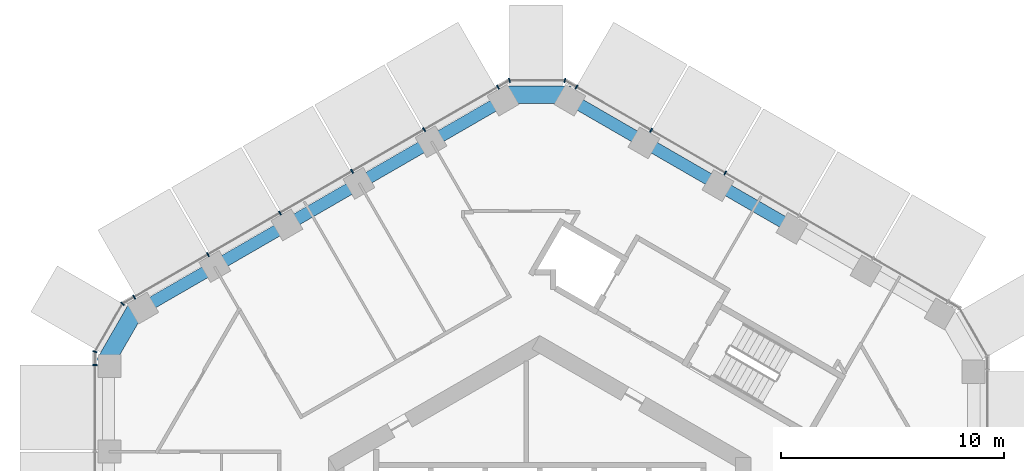
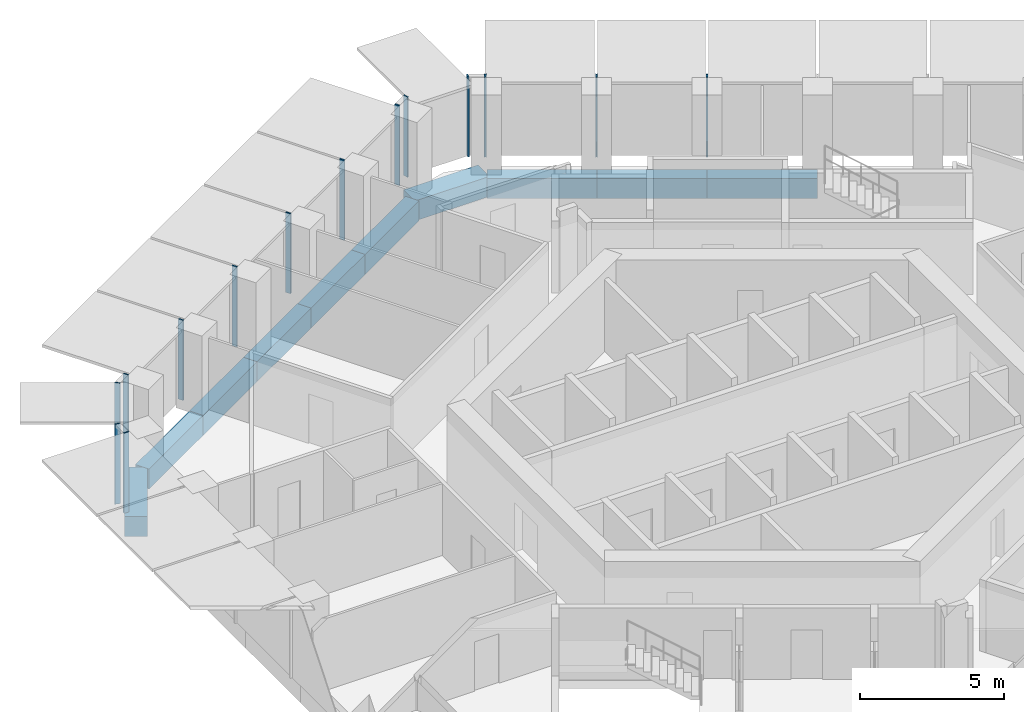
# One storey, part 5 of 18: 14 members, 10 beams, 5 elements without a shape of their own.
"""IFC4 building model written with IfcOpenShell, lengths in metres."""

from ifc_helpers import new_model, si_unit, direction, frame, origin, origin_2d, place, context, subcontext, project, spatial, rectangle, extrude, material, layer, layer_set, material_profile, profile_set, type_object, element, aggregate, save


model = new_model("IFC4")

# Units and contexts
model_context = context("Model", 3, precision=1e-05, world=origin(), true_north=direction((0.0, 1.0)))
body_context = subcontext(model_context, "Body", "Model", "MODEL_VIEW")
ifc_project = project(units=[si_unit("LENGTHUNIT", "METRE"), si_unit("AREAUNIT", "SQUARE_METRE"), si_unit("VOLUMEUNIT", "CUBIC_METRE"), si_unit("PLANEANGLEUNIT", "RADIAN"), si_unit("MASSUNIT", "GRAM", prefix="KILO")], contexts=[model_context])

# Site, building, storey
site_placement = place(None, origin())
site = spatial("IfcSite", under=ifc_project, at=site_placement, CompositionType="ELEMENT")
building_placement = place(site_placement, origin())
building = spatial("IfcBuilding", under=site, at=building_placement, Name="Ayvan Gate Tower", CompositionType="ELEMENT")
storey_placement = place(building_placement, frame((0.0, 0.0, 89.89990234375)))
storey = spatial("IfcBuildingStorey", under=building, at=storey_placement, Name="L23", CompositionType="ELEMENT", Elevation=89.89990234375)

# Beams
ifc_material_1 = material(Name="Concrete C40/50", Category="concrete")
ifc_material_profile_1 = material_profile(ifc_material_1, rectangle(XDim=0.800048828125, YDim=0.85009765625, at=origin_2d()), Name="RC 800x850")
ifc_profile_set_1 = profile_set([ifc_material_profile_1], Name="Concrete C40/50")
beam_type_1 = type_object("IfcBeamType", Name="Corner spandrel beam RC 800x850 C40/50", PredefinedType="BEAM", material=ifc_profile_set_1)
for number, where, z_axis, x_axis, name in (
    (1, (1.394775390625, 21.793212890625, -0.77490234375), (-1.0, 0.0, 0.0), (0.0, -1.0, 0.0), "SB-L23-12"),
    (2, (-18.071044921875, 12.286865234375, -0.77490234375), (-0.499990139034, -0.866031096941, 0.0), (0.866031096941, -0.499990139034, 0.0), "SB-L23-18"),
):
    element("IfcBeam", number, at=place(storey_placement, frame(where, z_axis=z_axis, x_axis=x_axis)), inside=storey, type_object=beam_type_1, Name=name, PredefinedType="BEAM", context=body_context, shape_type="SweptSolid", body=[
        extrude(rectangle(XDim=0.800048828125, YDim=0.85009765625, at=origin_2d()), origin(), (0.0, 0.0, 1.0), 3.0),
    ])
ifc_material_profile_2 = material_profile(ifc_material_1, rectangle(XDim=0.550048828125, YDim=0.85009765625, at=origin_2d()), Name="RC 550x850")
ifc_profile_set_2 = profile_set([ifc_material_profile_2], Name="Concrete C40/50")
beam_type_2 = type_object("IfcBeamType", Name="Spandrel beam RC 550x850 C40/50", PredefinedType="BEAM", material=ifc_profile_set_2)
beam_1_placement = place(storey_placement, frame((11.349365234375, 15.826171875, -0.77490234375), z_axis=(-0.866046580459, 0.499963319129, 0.0), x_axis=(-0.499963319129, -0.866046580459, 0.0)))
element("IfcBeam", 3, at=beam_1_placement, inside=storey, type_object=beam_type_2, Name="SB-L23-9", PredefinedType="BEAM", context=body_context, shape_type="SweptSolid", body=[
    extrude(rectangle(XDim=0.550048828125, YDim=0.85009765625, at=origin_2d()), origin(), (0.0, 0.0, 1.0), 3.831298828125),
])
beam_2_placement = place(storey_placement, frame((8.03125, 17.74169921875, -0.77490234375), z_axis=(-0.866034918304, 0.499983520007, 0.0), x_axis=(-0.499983520007, -0.866034918304, 0.0)))
element("IfcBeam", 4, at=beam_2_placement, inside=storey, type_object=beam_type_2, Name="SB-L23-10", PredefinedType="BEAM", context=body_context, shape_type="SweptSolid", body=[
    extrude(rectangle(XDim=0.550048828125, YDim=0.85009765625, at=origin_2d()), origin(), (0.0, 0.0, 1.0), 3.831787109375),
])
beam_3_placement = place(storey_placement, frame((4.712890625, 19.657470703125, -0.77490234375), z_axis=(-0.866018988906, 0.500011110731, 0.0), x_axis=(-0.500011110731, -0.866018988906, 0.0)))
element("IfcBeam", 5, at=beam_3_placement, inside=storey, type_object=beam_type_2, Name="SB-L23-11", PredefinedType="BEAM", context=body_context, shape_type="SweptSolid", body=[
    extrude(rectangle(XDim=0.550048828125, YDim=0.85009765625, at=origin_2d()), origin(), (0.0, 0.0, 1.0), 3.83154296875),
])
for number, where, z_axis, x_axis, name in (
    (6, (-1.605224609375, 21.5732421875, -0.77490234375), (-0.866003851672, -0.500037327496, 0.0), (0.500037327496, -0.866003851672, 0.0), "SB-L23-13"),
    (7, (-4.860107421875, 19.69384765625, -0.77490234375), (-0.866048217342, -0.499960483678, 0.0), (0.499960483678, -0.866048217342, 0.0), "SB-L23-14"),
):
    element("IfcBeam", number, at=place(storey_placement, frame(where, z_axis=z_axis, x_axis=x_axis)), inside=storey, type_object=beam_type_2, Name=name, PredefinedType="BEAM", context=body_context, shape_type="SweptSolid", body=[
        extrude(rectangle(XDim=0.550048828125, YDim=0.85009765625, at=origin_2d()), origin(), (0.0, 0.0, 1.0), 3.758544921875),
    ])
beam_4_placement = place(storey_placement, frame((-8.115234375, 17.814697265625, -0.77490234375), z_axis=(-0.866020091923, -0.500009200302, 0.0), x_axis=(0.500009200302, -0.866020091923, 0.0)))
element("IfcBeam", 8, at=beam_4_placement, inside=storey, type_object=beam_type_2, Name="SB-L23-15", PredefinedType="BEAM", context=body_context, shape_type="SweptSolid", body=[
    extrude(rectangle(XDim=0.550048828125, YDim=0.85009765625, at=origin_2d()), origin(), (0.0, 0.0, 1.0), 3.7587890625),
])
beam_5_placement = place(storey_placement, frame((-11.370361328125, 15.935302734375, -0.77490234375), z_axis=(-0.866031979728, -0.499988609959, 0.0), x_axis=(0.499988609959, -0.866031979728, 0.0)))
element("IfcBeam", 9, at=beam_5_placement, inside=storey, type_object=beam_type_2, Name="SB-L23-16", PredefinedType="BEAM", context=body_context, shape_type="SweptSolid", body=[
    extrude(rectangle(XDim=0.550048828125, YDim=0.85009765625, at=origin_2d()), origin(), (0.0, 0.0, 1.0), 3.75830078125),
])
beam_6_placement = place(storey_placement, frame((-14.625244140625, 14.05615234375, -0.77490234375), z_axis=(-0.866020091923, -0.500009200302, 0.0), x_axis=(0.500009200302, -0.866020091923, 0.0)))
element("IfcBeam", 10, at=beam_6_placement, inside=storey, type_object=beam_type_2, Name="SB-L23-17", PredefinedType="BEAM", context=body_context, shape_type="SweptSolid", body=[
    extrude(rectangle(XDim=0.550048828125, YDim=0.85009765625, at=origin_2d()), origin(), (0.0, 0.0, 1.0), 3.7587890625),
])

# Curtain wall, members
ifc_material_2 = material(Name="Bronze anodised aluminium", Category="aluminium")
ifc_layer_1 = layer(ifc_material_2, 0.199951171875)
ifc_layer_set_1 = layer_set([ifc_layer_1], Name="Bronze anodised aluminium")
curtain_wall_type_1 = type_object("IfcCurtainWallType", Name="Stick curtain wall CW-1", PredefinedType="NOTDEFINED", material=ifc_layer_set_1)
curtain_wall_1_placement = place(storey_placement, origin())
curtain_wall_1 = element("IfcCurtainWall", 11, at=curtain_wall_1_placement, inside=storey, type_object=curtain_wall_type_1, Name="Stick curtain wall CW-1 L23", PredefinedType="NOTDEFINED")
ifc_material_profile_3 = material_profile(ifc_material_2, rectangle(XDim=0.199951171875, YDim=0.06005859375, at=origin_2d()), Name="Stick curtain wall CW-1 mullion 200 x 60")
ifc_profile_set_3 = profile_set([ifc_material_profile_3], Name="Bronze anodised aluminium")
member_type_1 = type_object("IfcMemberType", Name="Stick curtain wall CW-1 mullion 200 x 60", PredefinedType="MULLION", material=ifc_profile_set_3)
member_1_placement = place(storey_placement, frame((-1.885986328125, 22.1328125, 0.0), z_axis=(0.0, 0.0, 1.0), x_axis=(-0.5, 0.866025403784, 0.0)))
member_1 = element("IfcMember", 12, at=member_1_placement, type_object=member_type_1, Name="CW-1 mullion 1", PredefinedType="MULLION", context=body_context, shape_type="SweptSolid", body=[
    extrude(rectangle(XDim=0.199951171875, YDim=0.06005859375, at=origin_2d()), origin(), (0.0, 0.0, 1.0), 3.400146484375),
])
member_2_placement = place(storey_placement, frame((-5.198486328125, 20.220458984375, 0.0), z_axis=(0.0, 0.0, 1.0), x_axis=(-0.5, 0.866025403784, 0.0)))
member_2 = element("IfcMember", 13, at=member_2_placement, type_object=member_type_1, Name="CW-1 mullion 2", PredefinedType="MULLION", context=body_context, shape_type="SweptSolid", body=[
    extrude(rectangle(XDim=0.199951171875, YDim=0.06005859375, at=origin_2d()), origin(), (0.0, 0.0, 1.0), 3.400146484375),
])
member_3_placement = place(storey_placement, frame((-8.4365234375, 18.350830078125, 0.0), z_axis=(0.0, 0.0, 1.0), x_axis=(-0.5, 0.866025403784, 0.0)))
member_3 = element("IfcMember", 14, at=member_3_placement, type_object=member_type_1, Name="CW-1 mullion 3", PredefinedType="MULLION", context=body_context, shape_type="SweptSolid", body=[
    extrude(rectangle(XDim=0.199951171875, YDim=0.06005859375, at=origin_2d()), origin(), (0.0, 0.0, 1.0), 3.400146484375),
])
member_4_placement = place(storey_placement, frame((-11.674560546875, 16.4814453125, 0.0), z_axis=(0.0, 0.0, 1.0), x_axis=(-0.5, 0.866025403784, 0.0)))
member_4 = element("IfcMember", 15, at=member_4_placement, type_object=member_type_1, Name="CW-1 mullion 4", PredefinedType="MULLION", context=body_context, shape_type="SweptSolid", body=[
    extrude(rectangle(XDim=0.199951171875, YDim=0.06005859375, at=origin_2d()), origin(), (0.0, 0.0, 1.0), 3.400146484375),
])
member_5_placement = place(storey_placement, frame((-14.911865234375, 14.6123046875, 0.0), z_axis=(0.0, 0.0, 1.0), x_axis=(-0.5, 0.866025403784, 0.0)))
member_5 = element("IfcMember", 16, at=member_5_placement, type_object=member_type_1, Name="CW-1 mullion 5", PredefinedType="MULLION", context=body_context, shape_type="SweptSolid", body=[
    extrude(rectangle(XDim=0.199951171875, YDim=0.06005859375, at=origin_2d()), origin(), (0.0, 0.0, 1.0), 3.400146484375),
])
member_6_placement = place(storey_placement, frame((-18.224609375, 12.69970703125, 0.0), z_axis=(0.0, 0.0, 1.0), x_axis=(-0.5, 0.866025403784, 0.0)))
member_6 = element("IfcMember", 17, at=member_6_placement, type_object=member_type_1, Name="CW-1 mullion 6", PredefinedType="MULLION", context=body_context, shape_type="SweptSolid", body=[
    extrude(rectangle(XDim=0.199951171875, YDim=0.06005859375, at=origin_2d()), origin(), (0.0, 0.0, 1.0), 3.400146484375),
])
aggregate(curtain_wall_1, [member_1, member_2, member_3, member_4, member_5, member_6])

# Curtain wall, member
curtain_wall_2_placement = place(storey_placement, origin())
curtain_wall_2 = element("IfcCurtainWall", 18, at=curtain_wall_2_placement, inside=storey, type_object=curtain_wall_type_1, Name="Stick curtain wall CW-1 L23", PredefinedType="NOTDEFINED")
member_7_placement = place(storey_placement, frame((-19.991943359375, 9.638671875, 0.0), z_axis=(0.0, 0.0, 1.0), x_axis=(-1.0, 0.0, 0.0)))
member_7 = element("IfcMember", 19, at=member_7_placement, type_object=member_type_1, Name="CW-1 mullion 1", PredefinedType="MULLION", context=body_context, shape_type="SweptSolid", body=[
    extrude(rectangle(XDim=0.199951171875, YDim=0.06005859375, at=origin_2d()), origin(), (0.0, 0.0, 1.0), 3.400146484375),
])
aggregate(curtain_wall_2, [member_7])

# Curtain wall, members
curtain_wall_3_placement = place(storey_placement, origin())
curtain_wall_3 = element("IfcCurtainWall", 20, at=curtain_wall_3_placement, inside=storey, type_object=curtain_wall_type_1, Name="Stick curtain wall CW-1 L23", PredefinedType="NOTDEFINED")
member_8_placement = place(storey_placement, frame((8.3330078125, 18.273681640625, 0.0), z_axis=(0.0, 0.0, 1.0), x_axis=(0.5, 0.866025403784, 0.0)))
member_8 = element("IfcMember", 21, at=member_8_placement, type_object=member_type_1, Name="CW-1 mullion 4", PredefinedType="MULLION", context=body_context, shape_type="SweptSolid", body=[
    extrude(rectangle(XDim=0.199951171875, YDim=0.06005859375, at=origin_2d()), origin(), (0.0, 0.0, 1.0), 3.400146484375),
])
member_9_placement = place(storey_placement, frame((5.005615234375, 20.194580078125, 0.0), z_axis=(0.0, 0.0, 1.0), x_axis=(0.5, 0.866025403784, 0.0)))
member_9 = element("IfcMember", 22, at=member_9_placement, type_object=member_type_1, Name="CW-1 mullion 5", PredefinedType="MULLION", context=body_context, shape_type="SweptSolid", body=[
    extrude(rectangle(XDim=0.199951171875, YDim=0.06005859375, at=origin_2d()), origin(), (0.0, 0.0, 1.0), 3.400146484375),
])
member_10_placement = place(storey_placement, frame((1.6484375, 22.1328125, 0.0), z_axis=(0.0, 0.0, 1.0), x_axis=(0.5, 0.866025403784, 0.0)))
member_10 = element("IfcMember", 23, at=member_10_placement, type_object=member_type_1, Name="CW-1 mullion 6", PredefinedType="MULLION", context=body_context, shape_type="SweptSolid", body=[
    extrude(rectangle(XDim=0.199951171875, YDim=0.06005859375, at=origin_2d()), origin(), (0.0, 0.0, 1.0), 3.400146484375),
])
aggregate(curtain_wall_3, [member_8, member_9, member_10])

ifc_layer_2 = layer(ifc_material_2, 0.199951171875)
ifc_layer_set_2 = layer_set([ifc_layer_2], Name="Bronze anodised aluminium")
curtain_wall_type_2 = type_object("IfcCurtainWallType", Name="Stick curtain wall CW-6", PredefinedType="NOTDEFINED", material=ifc_layer_set_2)
curtain_wall_4_placement = place(storey_placement, origin())
curtain_wall_4 = element("IfcCurtainWall", 24, at=curtain_wall_4_placement, inside=storey, type_object=curtain_wall_type_2, Name="Stick curtain wall CW-6 L23", PredefinedType="NOTDEFINED")
ifc_material_profile_4 = material_profile(ifc_material_2, rectangle(XDim=0.199951171875, YDim=0.050048828125, at=origin_2d()), Name="Stick curtain wall CW-6 mullion 200 x 50")
ifc_profile_set_4 = profile_set([ifc_material_profile_4], Name="Bronze anodised aluminium")
member_type_2 = type_object("IfcMemberType", Name="Stick curtain wall CW-6 mullion 200 x 50", PredefinedType="MULLION", material=ifc_profile_set_4)
member_11_placement = place(storey_placement, frame((-18.74853515625, 12.397216796875, 0.0), z_axis=(0.0, 0.0, 1.0), x_axis=(-0.707106781187, 0.707106781187, 0.0)))
member_11 = element("IfcMember", 25, at=member_11_placement, type_object=member_type_2, Name="CW-6 mullion 2", PredefinedType="MULLION", context=body_context, shape_type="SweptSolid", body=[
    extrude(rectangle(XDim=0.199951171875, YDim=0.050048828125, at=origin_2d()), origin(), (0.0, 0.0, 1.0), 3.400146484375),
])
member_12_placement = place(storey_placement, frame((-19.991943359375, 10.24365234375, 0.0), z_axis=(0.0, 0.0, 1.0), x_axis=(-0.965925826289, 0.258819045103, 0.0)))
member_12 = element("IfcMember", 26, at=member_12_placement, type_object=member_type_2, Name="CW-6 mullion 3", PredefinedType="MULLION", context=body_context, shape_type="SweptSolid", body=[
    extrude(rectangle(XDim=0.199951171875, YDim=0.050048828125, at=origin_2d()), origin(), (0.0, 0.0, 1.0), 3.400146484375),
])
aggregate(curtain_wall_4, [member_11, member_12])

curtain_wall_5_placement = place(storey_placement, origin())
curtain_wall_5 = element("IfcCurtainWall", 27, at=curtain_wall_5_placement, inside=storey, type_object=curtain_wall_type_2, Name="Stick curtain wall CW-6 L23", PredefinedType="NOTDEFINED")
member_13_placement = place(storey_placement, frame((1.12451171875, 22.435302734375, 0.0), z_axis=(0.0, 0.0, 1.0), x_axis=(0.258819045103, 0.965925826289, 0.0)))
member_13 = element("IfcMember", 28, at=member_13_placement, type_object=member_type_2, Name="CW-6 mullion 2", PredefinedType="MULLION", context=body_context, shape_type="SweptSolid", body=[
    extrude(rectangle(XDim=0.199951171875, YDim=0.050048828125, at=origin_2d()), origin(), (0.0, 0.0, 1.0), 3.400146484375),
])
member_14_placement = place(storey_placement, frame((-1.362060546875, 22.435302734375, 0.0), z_axis=(0.0, 0.0, 1.0), x_axis=(-0.258819045103, 0.965925826289, 0.0)))
member_14 = element("IfcMember", 29, at=member_14_placement, type_object=member_type_2, Name="CW-6 mullion 3", PredefinedType="MULLION", context=body_context, shape_type="SweptSolid", body=[
    extrude(rectangle(XDim=0.199951171875, YDim=0.050048828125, at=origin_2d()), origin(), (0.0, 0.0, 1.0), 3.400146484375),
])
aggregate(curtain_wall_5, [member_13, member_14])

save(model, "model.ifc")
